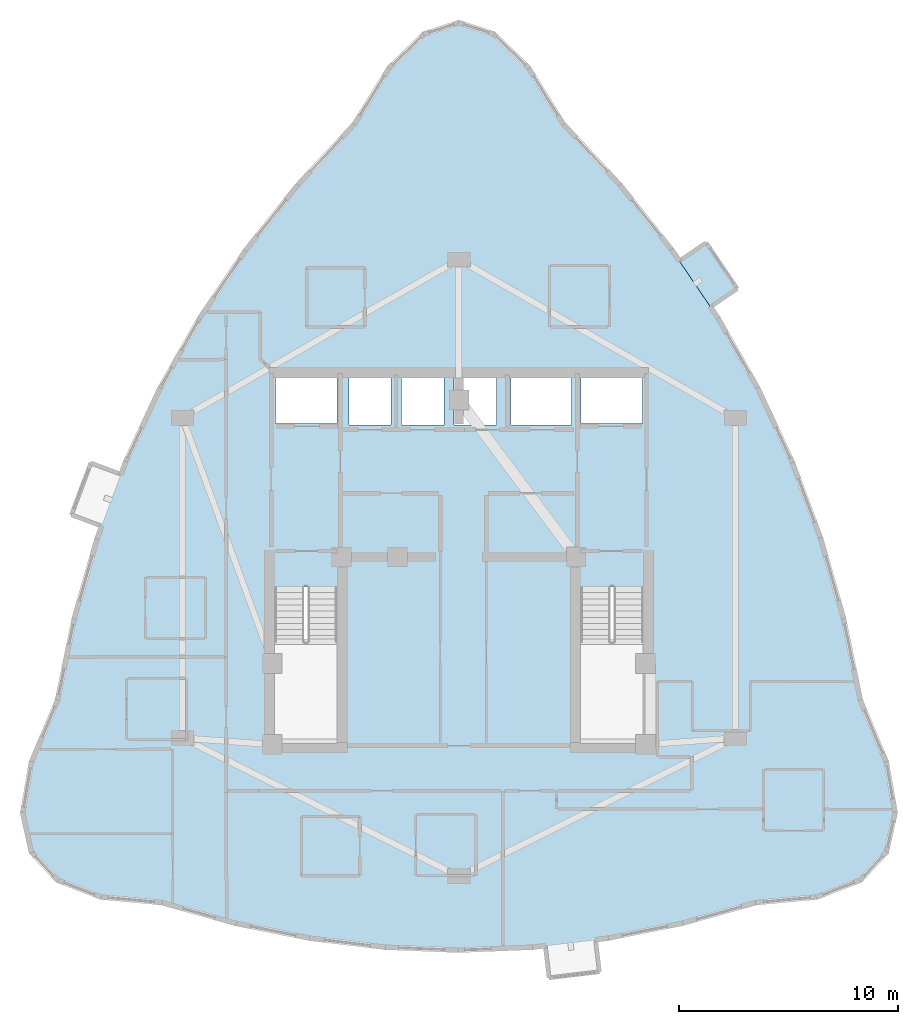
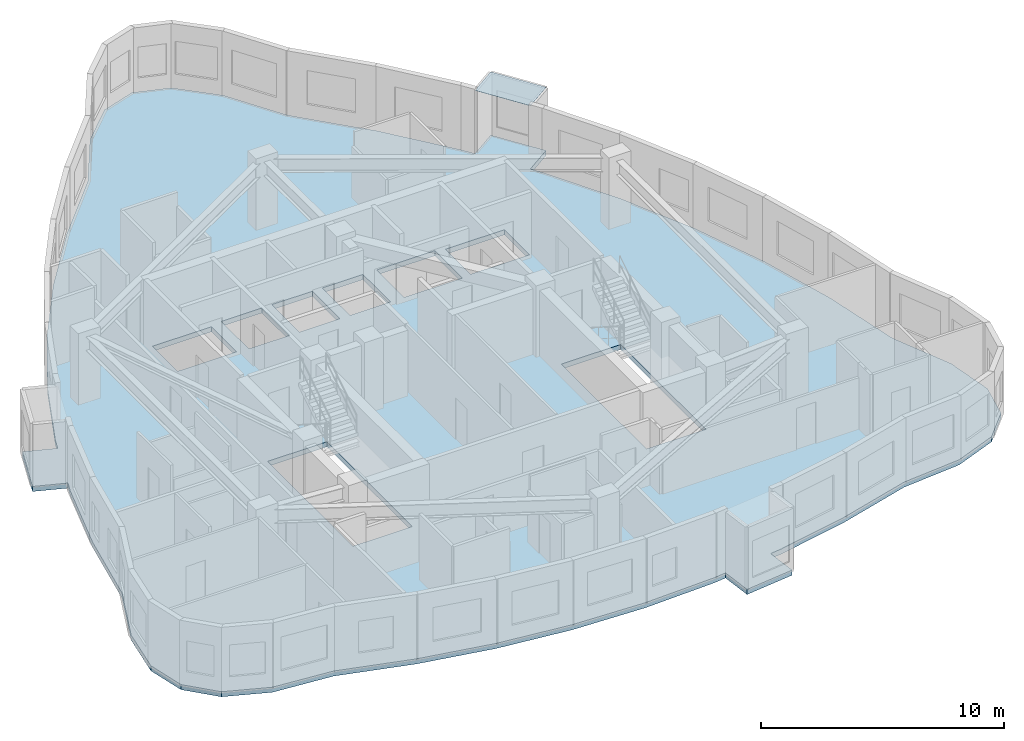
# One storey, part 4 of 12: 1 plate, 1 slab.
"""IFC4 building model written with IfcOpenShell, lengths in metres."""

from ifc_helpers import new_model, si_unit, direction, frame, origin, place, context, subcontext, project, spatial, polyline, outline, extrude, material, layer, layer_set, type_object, element, save


model = new_model("IFC4")

# Units and contexts
model_context = context("Model", 3, precision=1e-05, world=origin(), true_north=direction((0.0, 1.0)))
body_context = subcontext(model_context, "Body", "Model", "MODEL_VIEW")
ifc_project = project(units=[si_unit("LENGTHUNIT", "METRE"), si_unit("AREAUNIT", "SQUARE_METRE"), si_unit("VOLUMEUNIT", "CUBIC_METRE"), si_unit("PLANEANGLEUNIT", "RADIAN"), si_unit("MASSUNIT", "GRAM", prefix="KILO")], contexts=[model_context])

# Site, building, storey
site_placement = place(None, origin())
site = spatial("IfcSite", under=ifc_project, at=site_placement, CompositionType="ELEMENT")
building_placement = place(site_placement, origin())
building = spatial("IfcBuilding", under=site, at=building_placement, Name="Miruveldt Soraemaru", CompositionType="ELEMENT")
storey_placement = place(building_placement, frame((0.0, 0.0, 248.39990234375)))
storey = spatial("IfcBuildingStorey", under=building, at=storey_placement, Name="L68", CompositionType="ELEMENT", Elevation=248.39990234375)

# Plate
ifc_material_1 = material(Name="Standing-seam titanium-zinc sheet", Category="aluminium")
ifc_layer_1 = layer(ifc_material_1, 0.011962890625, Name="Standing-seam titanium-zinc sheet", Category="aluminium")
ifc_layer_set_1 = layer_set([ifc_layer_1], Name="Standing-seam titanium-zinc sheet")
plate_type = type_object("IfcPlateType", Name="PLT-ZINC-12", PredefinedType="SHEET", material=ifc_layer_set_1)
plate_placement = place(storey_placement, frame((0.0, 0.0, 3.1650390625)))
element("IfcPlate", 1, at=plate_placement, inside=storey, type_object=plate_type, Name="L68 Bay Window Zinc Hood Sheet 2", PredefinedType="SHEET", context=body_context, shape_type="SweptSolid", body=[
    extrude(outline(polyline([(55.4619140625, 55.443115234375), (54.041748046875, 57.539306640625), (55.26708984375, 58.369384765625), (56.68701171875, 56.27294921875), (55.4619140625, 55.443115234375)])), origin(), (0.0, 0.0, 1.0), 0.011962890625),
])

# Slab
ifc_material_2 = material(Name="Concrete C40/50 (40 MPa)", Category="concrete")
ifc_layer_2 = layer(ifc_material_2, 0.2548828125, Name="Concrete C40/50 (40 MPa)", Category="concrete")
ifc_layer_set_2 = layer_set([ifc_layer_2], Name="Concrete C40/50 (40 MPa)")
slab_type = type_object("IfcSlabType", Name="SLAB-RES3-255", PredefinedType="FLOOR", material=ifc_layer_set_2)
slab_placement = place(storey_placement, frame((0.0, 0.0, -0.2548828125)))
element("IfcSlab", 2, at=slab_placement, inside=storey, type_object=slab_type, Name="L68 Structural Floor Slab", PredefinedType="FLOOR", context=body_context, shape_type="SweptSolid", body=[
    extrude(outline(polyline([(48.105712890625, 24.866943359375), (47.929443359375, 26.33642578125), (49.081298828125, 26.474609375), (47.387451171875, 26.271484375), (44.0, 26.135986328125), (40.612548828125, 26.271484375), (37.22509765625, 26.677978515625), (33.83740234375, 27.35546875), (30.4501953125, 28.303955078125), (27.68310546875, 28.5595703125), (25.706787109375, 29.326416015625), (24.52099609375, 30.604248046875), (24.125732421875, 32.393310546875), (24.52099609375, 34.69384765625), (25.706787109375, 37.50537109375), (26.480712890625, 41.26513671875), (27.51708984375, 44.8896484375), (27.72509765625, 45.44775390625), (26.338134765625, 45.96435546875), (27.221923828125, 48.337158203125), (28.60888671875, 47.820556640625), (28.1669921875, 46.634033203125), (28.816650390625, 48.378662109375), (30.37890625, 51.73193359375), (32.2041015625, 54.949951171875), (34.292236328125, 58.032470703125), (36.64306640625, 60.979248046875), (39.2568359375, 63.790771484375), (40.837890625, 66.3466796875), (42.4189453125, 67.880126953125), (44.0, 68.391357421875), (45.5810546875, 67.880126953125), (47.162109375, 66.3466796875), (48.7431640625, 63.790771484375), (51.35693359375, 60.979248046875), (53.707763671875, 58.032470703125), (54.041748046875, 57.539306640625), (55.26708984375, 58.369384765625), (56.68701171875, 56.27294921875), (55.4619140625, 55.443115234375), (54.751708984375, 56.4912109375), (55.7958984375, 54.949951171875), (57.62109375, 51.73193359375), (59.183349609375, 48.378662109375), (60.48291015625, 44.8896484375), (61.519287109375, 41.26513671875), (62.293212890625, 37.50537109375), (63.47900390625, 34.69384765625), (63.874267578125, 32.393310546875), (63.47900390625, 30.604248046875), (62.293212890625, 29.326416015625), (60.31689453125, 28.5595703125), (57.5498046875, 28.303955078125), (54.16259765625, 27.35546875), (50.77490234375, 26.677978515625), (50.23291015625, 26.613037109375), (50.4091796875, 25.1435546875), (48.105712890625, 24.866943359375)]), holes=[polyline([(35.614990234375, 35.6650390625), (38.43505859375, 35.6650390625), (38.43505859375, 42.68505859375), (35.614990234375, 42.68505859375), (35.614990234375, 35.6650390625)]), polyline([(49.56494140625, 35.6650390625), (52.385009765625, 35.6650390625), (52.385009765625, 42.68505859375), (49.56494140625, 42.68505859375), (49.56494140625, 35.6650390625)]), polyline([(38.445068359375, 50.135009765625), (38.445068359375, 52.205078125), (35.635009765625, 52.205078125), (35.635009765625, 50.135009765625), (38.445068359375, 50.135009765625)]), polyline([(52.364990234375, 50.135009765625), (52.364990234375, 52.205078125), (49.554931640625, 52.205078125), (49.554931640625, 50.135009765625), (52.364990234375, 50.135009765625)]), polyline([(40.9150390625, 50.06494140625), (40.9150390625, 52.3349609375), (38.985107421875, 52.3349609375), (38.985107421875, 50.06494140625), (40.9150390625, 50.06494140625)]), polyline([(43.31494140625, 50.06494140625), (43.31494140625, 52.3349609375), (41.385009765625, 52.3349609375), (41.385009765625, 50.06494140625), (43.31494140625, 50.06494140625)]), polyline([(45.715087890625, 50.06494140625), (45.715087890625, 52.3349609375), (43.784912109375, 52.3349609375), (43.784912109375, 50.06494140625), (45.715087890625, 50.06494140625)]), polyline([(49.135009765625, 50.06494140625), (49.135009765625, 52.3349609375), (46.364990234375, 52.3349609375), (46.364990234375, 50.06494140625), (49.135009765625, 50.06494140625)])]), origin(), (0.0, 0.0, 1.0), 0.2548828125),
])

save(model, "model.ifc")
